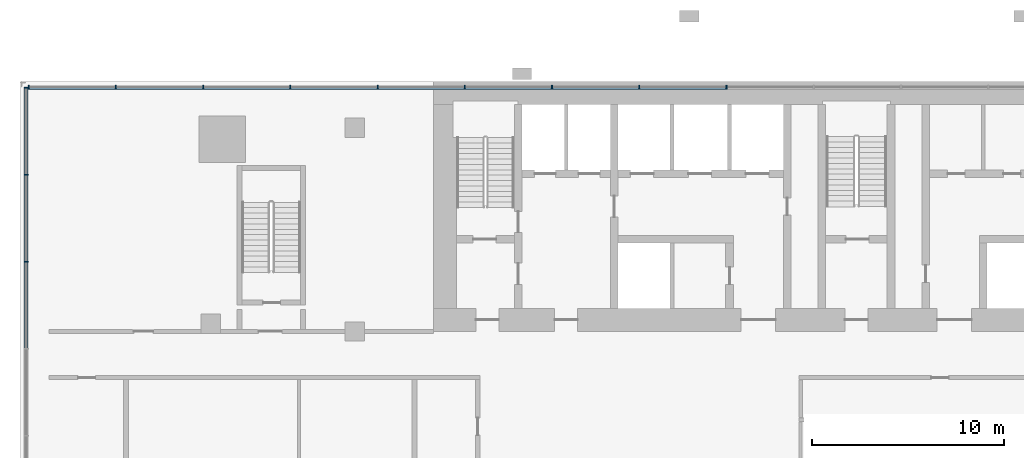
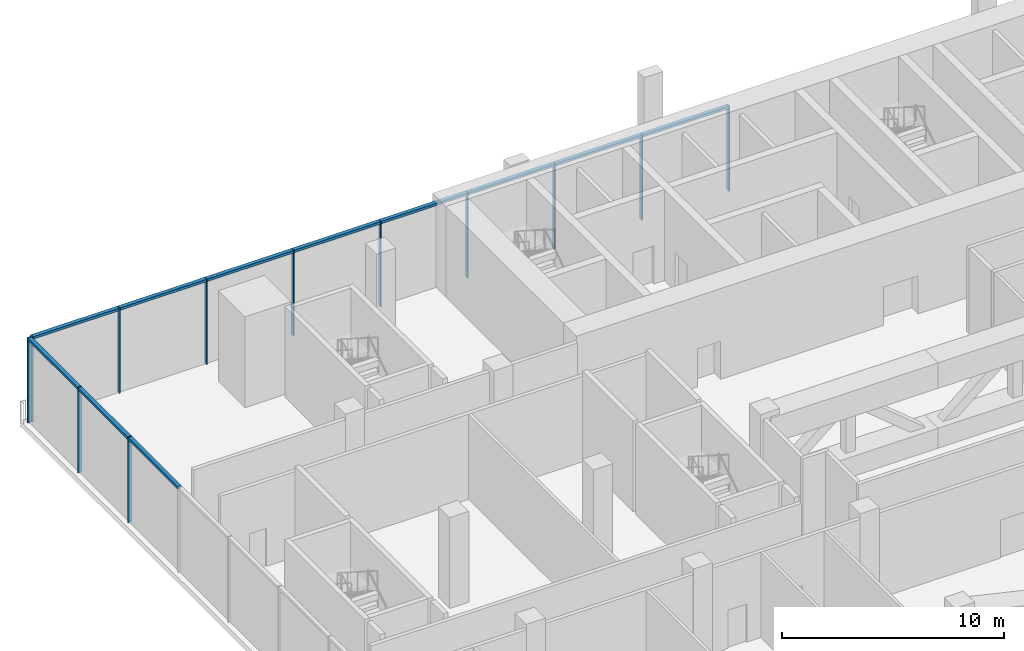
# One storey, part 7 of 22: 23 members, 2 elements without a shape of their own.
"""IFC4 building model written with IfcOpenShell, lengths in metres."""

from ifc_helpers import new_model, si_unit, direction, frame, origin, origin_2d, place, context, subcontext, project, spatial, rectangle, extrude, material, material_profile, profile_set, type_object, element, aggregate, save


model = new_model("IFC4")

# Units and contexts
model_context = context("Model", 3, precision=1e-05, world=origin(), true_north=direction((0.0, 1.0)))
body_context = subcontext(model_context, "Body", "Model", "MODEL_VIEW")
ifc_project = project(units=[si_unit("LENGTHUNIT", "METRE"), si_unit("AREAUNIT", "SQUARE_METRE"), si_unit("VOLUMEUNIT", "CUBIC_METRE"), si_unit("PLANEANGLEUNIT", "RADIAN"), si_unit("MASSUNIT", "GRAM", prefix="KILO")], contexts=[model_context])

# Site, building, storey
site_placement = place(None, origin())
site = spatial("IfcSite", under=ifc_project, at=site_placement, CompositionType="ELEMENT")
building_placement = place(site_placement, origin())
building = spatial("IfcBuilding", under=site, at=building_placement, Name="Bicima Exchange Tower", CompositionType="ELEMENT")
storey_placement = place(building_placement, frame((0.0, 0.0, 20.0)))
storey = spatial("IfcBuildingStorey", under=building, at=storey_placement, Name="L03", CompositionType="ELEMENT", Elevation=20.0)

# Curtain wall, members
ifc_material = material(Name="Anodised bronze aluminium", Category="aluminium")
curtain_wall_type = type_object("IfcCurtainWallType", Name="Lobby glazing", PredefinedType="NOTDEFINED", material=ifc_material)
curtain_wall_1_placement = place(storey_placement, origin())
curtain_wall_1 = element("IfcCurtainWall", 1, at=curtain_wall_1_placement, inside=storey, type_object=curtain_wall_type, Name="Podium glazing L03 north 1", PredefinedType="NOTDEFINED")
ifc_material_profile_1 = material_profile(ifc_material, rectangle(XDim=0.199951171875, YDim=0.06005859375, at=origin_2d()))
ifc_profile_set_1 = profile_set([ifc_material_profile_1], Name="Anodised bronze aluminium")
member_type_1 = type_object("IfcMemberType", Name="Lobby glazing mullion 60 x 200", PredefinedType="MULLION", material=ifc_profile_set_1)
member_1_placement = place(storey_placement, frame((-6.75830078125, -0.300048828125, 0.0), z_axis=(0.0, 0.0, 1.0), x_axis=(0.0, -1.0, 0.0)))
member_1 = element("IfcMember", 2, at=member_1_placement, type_object=member_type_1, Name="Lobby glazing mullion 12", PredefinedType="MULLION", context=body_context, shape_type="SweptSolid", body=[
    extrude(rectangle(XDim=0.199951171875, YDim=0.06005859375, at=origin_2d()), origin(), (0.0, 0.0, 1.0), 4.699951171875),
])
member_2_placement = place(storey_placement, frame((-11.29736328125, -0.300048828125, 0.0), z_axis=(0.0, 0.0, 1.0), x_axis=(0.0, -1.0, 0.0)))
member_2 = element("IfcMember", 3, at=member_2_placement, type_object=member_type_1, Name="Lobby glazing mullion 13", PredefinedType="MULLION", context=body_context, shape_type="SweptSolid", body=[
    extrude(rectangle(XDim=0.199951171875, YDim=0.06005859375, at=origin_2d()), origin(), (0.0, 0.0, 1.0), 4.699951171875),
])
member_3_placement = place(storey_placement, frame((-15.836181640625, -0.300048828125, 0.0), z_axis=(0.0, 0.0, 1.0), x_axis=(0.0, -1.0, 0.0)))
member_3 = element("IfcMember", 4, at=member_3_placement, type_object=member_type_1, Name="Lobby glazing mullion 14", PredefinedType="MULLION", context=body_context, shape_type="SweptSolid", body=[
    extrude(rectangle(XDim=0.199951171875, YDim=0.06005859375, at=origin_2d()), origin(), (0.0, 0.0, 1.0), 4.699951171875),
])
member_4_placement = place(storey_placement, frame((-20.375244140625, -0.300048828125, 0.0), z_axis=(0.0, 0.0, 1.0), x_axis=(0.0, -1.0, 0.0)))
member_4 = element("IfcMember", 5, at=member_4_placement, type_object=member_type_1, Name="Lobby glazing mullion 15", PredefinedType="MULLION", context=body_context, shape_type="SweptSolid", body=[
    extrude(rectangle(XDim=0.199951171875, YDim=0.06005859375, at=origin_2d()), origin(), (0.0, 0.0, 1.0), 4.699951171875),
])
member_5_placement = place(storey_placement, frame((-24.914306640625, -0.300048828125, 0.0), z_axis=(0.0, 0.0, 1.0), x_axis=(0.0, -1.0, 0.0)))
member_5 = element("IfcMember", 6, at=member_5_placement, type_object=member_type_1, Name="Lobby glazing mullion 16", PredefinedType="MULLION", context=body_context, shape_type="SweptSolid", body=[
    extrude(rectangle(XDim=0.199951171875, YDim=0.06005859375, at=origin_2d()), origin(), (0.0, 0.0, 1.0), 4.699951171875),
])
member_6_placement = place(storey_placement, frame((-29.453125, -0.300048828125, 0.0), z_axis=(0.0, 0.0, 1.0), x_axis=(0.0, -1.0, 0.0)))
member_6 = element("IfcMember", 7, at=member_6_placement, type_object=member_type_1, Name="Lobby glazing mullion 17", PredefinedType="MULLION", context=body_context, shape_type="SweptSolid", body=[
    extrude(rectangle(XDim=0.199951171875, YDim=0.06005859375, at=origin_2d()), origin(), (0.0, 0.0, 1.0), 4.699951171875),
])
member_7_placement = place(storey_placement, frame((-33.9921875, -0.300048828125, 0.0), z_axis=(0.0, 0.0, 1.0), x_axis=(0.0, -1.0, 0.0)))
member_7 = element("IfcMember", 8, at=member_7_placement, type_object=member_type_1, Name="Lobby glazing mullion 18", PredefinedType="MULLION", context=body_context, shape_type="SweptSolid", body=[
    extrude(rectangle(XDim=0.199951171875, YDim=0.06005859375, at=origin_2d()), origin(), (0.0, 0.0, 1.0), 4.699951171875),
])
member_8_placement = place(storey_placement, frame((-38.531005859375, -0.300048828125, 0.0), z_axis=(0.0, 0.0, 1.0), x_axis=(0.0, -1.0, 0.0)))
member_8 = element("IfcMember", 9, at=member_8_placement, type_object=member_type_1, Name="Lobby glazing mullion 19", PredefinedType="MULLION", context=body_context, shape_type="SweptSolid", body=[
    extrude(rectangle(XDim=0.199951171875, YDim=0.06005859375, at=origin_2d()), origin(), (0.0, 0.0, 1.0), 4.699951171875),
])
member_9_placement = place(storey_placement, frame((-43.070068359375, -0.300048828125, 0.0), z_axis=(0.0, 0.0, 1.0), x_axis=(0.0, -1.0, 0.0)))
member_9 = element("IfcMember", 10, at=member_9_placement, type_object=member_type_1, Name="Lobby glazing mullion 20", PredefinedType="MULLION", context=body_context, shape_type="SweptSolid", body=[
    extrude(rectangle(XDim=0.199951171875, YDim=0.06005859375, at=origin_2d()), origin(), (0.0, 0.0, 1.0), 4.699951171875),
])

curtain_wall_2_placement = place(storey_placement, origin())
curtain_wall_2 = element("IfcCurtainWall", 11, at=curtain_wall_2_placement, inside=storey, type_object=curtain_wall_type, Name="Podium glazing L03 west 1", PredefinedType="NOTDEFINED")
member_10_placement = place(storey_placement, frame((-43.199951171875, -0.330078125, 0.0), z_axis=(0.0, 0.0, 1.0), x_axis=(1.0, 0.0, 0.0)))
member_10 = element("IfcMember", 12, at=member_10_placement, type_object=member_type_1, Name="Lobby glazing mullion 1", PredefinedType="MULLION", context=body_context, shape_type="SweptSolid", body=[
    extrude(rectangle(XDim=0.199951171875, YDim=0.06005859375, at=origin_2d()), origin(), (0.0, 0.0, 1.0), 4.699951171875),
])
member_11_placement = place(storey_placement, frame((-43.199951171875, -4.85400390625, 0.0), z_axis=(0.0, 0.0, 1.0), x_axis=(1.0, 0.0, 0.0)))
member_11 = element("IfcMember", 13, at=member_11_placement, type_object=member_type_1, Name="Lobby glazing mullion 2", PredefinedType="MULLION", context=body_context, shape_type="SweptSolid", body=[
    extrude(rectangle(XDim=0.199951171875, YDim=0.06005859375, at=origin_2d()), origin(), (0.0, 0.0, 1.0), 4.699951171875),
])
member_12_placement = place(storey_placement, frame((-43.199951171875, -9.3779296875, 0.0), z_axis=(0.0, 0.0, 1.0), x_axis=(1.0, 0.0, 0.0)))
member_12 = element("IfcMember", 14, at=member_12_placement, type_object=member_type_1, Name="Lobby glazing mullion 3", PredefinedType="MULLION", context=body_context, shape_type="SweptSolid", body=[
    extrude(rectangle(XDim=0.199951171875, YDim=0.06005859375, at=origin_2d()), origin(), (0.0, 0.0, 1.0), 4.699951171875),
])

# Member
ifc_material_profile_2 = material_profile(ifc_material, rectangle(XDim=0.199951171875, YDim=0.139892578125, at=origin_2d()))
ifc_profile_set_2 = profile_set([ifc_material_profile_2], Name="Anodised bronze aluminium")
member_type_2 = type_object("IfcMemberType", Name="Lobby glazing transom 140 x 200", PredefinedType="USERDEFINED", material=ifc_profile_set_2)
member_13_placement = place(storey_placement, frame((-6.788330078125, -0.300048828125, 4.6298828125), z_axis=(-1.0, 0.0, 0.0), x_axis=(0.0, -1.0, 0.0)))
member_13 = element("IfcMember", 15, at=member_13_placement, type_object=member_type_2, Name="Lobby glazing transom 12.1", ObjectType="TRANSOM", PredefinedType="USERDEFINED", context=body_context, shape_type="SweptSolid", body=[
    extrude(rectangle(XDim=0.199951171875, YDim=0.139892578125, at=origin_2d()), origin(), (0.0, 0.0, 1.0), 4.47900390625),
])

member_14_placement = place(storey_placement, frame((-11.327392578125, -0.300048828125, 4.6298828125), z_axis=(-1.0, 0.0, 0.0), x_axis=(0.0, -1.0, 0.0)))
member_14 = element("IfcMember", 16, at=member_14_placement, type_object=member_type_2, Name="Lobby glazing transom 13.1", ObjectType="TRANSOM", PredefinedType="USERDEFINED", context=body_context, shape_type="SweptSolid", body=[
    extrude(rectangle(XDim=0.199951171875, YDim=0.139892578125, at=origin_2d()), origin(), (0.0, 0.0, 1.0), 4.47900390625),
])

member_15_placement = place(storey_placement, frame((-15.8662109375, -0.300048828125, 4.6298828125), z_axis=(-1.0, 0.0, 0.0), x_axis=(0.0, -1.0, 0.0)))
member_15 = element("IfcMember", 17, at=member_15_placement, type_object=member_type_2, Name="Lobby glazing transom 14.1", ObjectType="TRANSOM", PredefinedType="USERDEFINED", context=body_context, shape_type="SweptSolid", body=[
    extrude(rectangle(XDim=0.199951171875, YDim=0.139892578125, at=origin_2d()), origin(), (0.0, 0.0, 1.0), 4.47900390625),
])

member_16_placement = place(storey_placement, frame((-20.4052734375, -0.300048828125, 4.6298828125), z_axis=(-1.0, 0.0, 0.0), x_axis=(0.0, -1.0, 0.0)))
member_16 = element("IfcMember", 18, at=member_16_placement, type_object=member_type_2, Name="Lobby glazing transom 15.1", ObjectType="TRANSOM", PredefinedType="USERDEFINED", context=body_context, shape_type="SweptSolid", body=[
    extrude(rectangle(XDim=0.199951171875, YDim=0.139892578125, at=origin_2d()), origin(), (0.0, 0.0, 1.0), 4.47900390625),
])

member_17_placement = place(storey_placement, frame((-24.944091796875, -0.300048828125, 4.6298828125), z_axis=(-1.0, 0.0, 0.0), x_axis=(0.0, -1.0, 0.0)))
member_17 = element("IfcMember", 19, at=member_17_placement, type_object=member_type_2, Name="Lobby glazing transom 16.1", ObjectType="TRANSOM", PredefinedType="USERDEFINED", context=body_context, shape_type="SweptSolid", body=[
    extrude(rectangle(XDim=0.199951171875, YDim=0.139892578125, at=origin_2d()), origin(), (0.0, 0.0, 1.0), 4.47900390625),
])

member_18_placement = place(storey_placement, frame((-29.483154296875, -0.300048828125, 4.6298828125), z_axis=(-1.0, 0.0, 0.0), x_axis=(0.0, -1.0, 0.0)))
member_18 = element("IfcMember", 20, at=member_18_placement, type_object=member_type_2, Name="Lobby glazing transom 17.1", ObjectType="TRANSOM", PredefinedType="USERDEFINED", context=body_context, shape_type="SweptSolid", body=[
    extrude(rectangle(XDim=0.199951171875, YDim=0.139892578125, at=origin_2d()), origin(), (0.0, 0.0, 1.0), 4.47900390625),
])

member_19_placement = place(storey_placement, frame((-34.022216796875, -0.300048828125, 4.6298828125), z_axis=(-1.0, 0.0, 0.0), x_axis=(0.0, -1.0, 0.0)))
member_19 = element("IfcMember", 21, at=member_19_placement, type_object=member_type_2, Name="Lobby glazing transom 18.1", ObjectType="TRANSOM", PredefinedType="USERDEFINED", context=body_context, shape_type="SweptSolid", body=[
    extrude(rectangle(XDim=0.199951171875, YDim=0.139892578125, at=origin_2d()), origin(), (0.0, 0.0, 1.0), 4.47900390625),
])

member_20_placement = place(storey_placement, frame((-38.56103515625, -0.300048828125, 4.6298828125), z_axis=(-1.0, 0.0, 0.0), x_axis=(0.0, -1.0, 0.0)))
member_20 = element("IfcMember", 22, at=member_20_placement, type_object=member_type_2, Name="Lobby glazing transom 19.1", ObjectType="TRANSOM", PredefinedType="USERDEFINED", context=body_context, shape_type="SweptSolid", body=[
    extrude(rectangle(XDim=0.199951171875, YDim=0.139892578125, at=origin_2d()), origin(), (0.0, 0.0, 1.0), 4.47900390625),
])

aggregate(curtain_wall_1, [member_1, member_2, member_3, member_4, member_5, member_6, member_7, member_8, member_9, member_13, member_14, member_15, member_16, member_17, member_18, member_19, member_20])

member_21_placement = place(storey_placement, frame((-43.199951171875, -0.360107421875, 4.6298828125), z_axis=(0.0, -1.0, 0.0), x_axis=(1.0, 0.0, 0.0)))
member_21 = element("IfcMember", 23, at=member_21_placement, type_object=member_type_2, Name="Lobby glazing transom 1.1", ObjectType="TRANSOM", PredefinedType="USERDEFINED", context=body_context, shape_type="SweptSolid", body=[
    extrude(rectangle(XDim=0.199951171875, YDim=0.139892578125, at=origin_2d()), origin(), (0.0, 0.0, 1.0), 4.4638671875),
])

member_22_placement = place(storey_placement, frame((-43.199951171875, -4.884033203125, 4.6298828125), z_axis=(0.0, -1.0, 0.0), x_axis=(1.0, 0.0, 0.0)))
member_22 = element("IfcMember", 24, at=member_22_placement, type_object=member_type_2, Name="Lobby glazing transom 2.1", ObjectType="TRANSOM", PredefinedType="USERDEFINED", context=body_context, shape_type="SweptSolid", body=[
    extrude(rectangle(XDim=0.199951171875, YDim=0.139892578125, at=origin_2d()), origin(), (0.0, 0.0, 1.0), 4.4638671875),
])

member_23_placement = place(storey_placement, frame((-43.199951171875, -9.407958984375, 4.6298828125), z_axis=(0.0, -1.0, 0.0), x_axis=(1.0, 0.0, 0.0)))
member_23 = element("IfcMember", 25, at=member_23_placement, type_object=member_type_2, Name="Lobby glazing transom 3.1", ObjectType="TRANSOM", PredefinedType="USERDEFINED", context=body_context, shape_type="SweptSolid", body=[
    extrude(rectangle(XDim=0.199951171875, YDim=0.139892578125, at=origin_2d()), origin(), (0.0, 0.0, 1.0), 4.464111328125),
])

aggregate(curtain_wall_2, [member_10, member_11, member_12, member_21, member_22, member_23])

save(model, "model.ifc")
